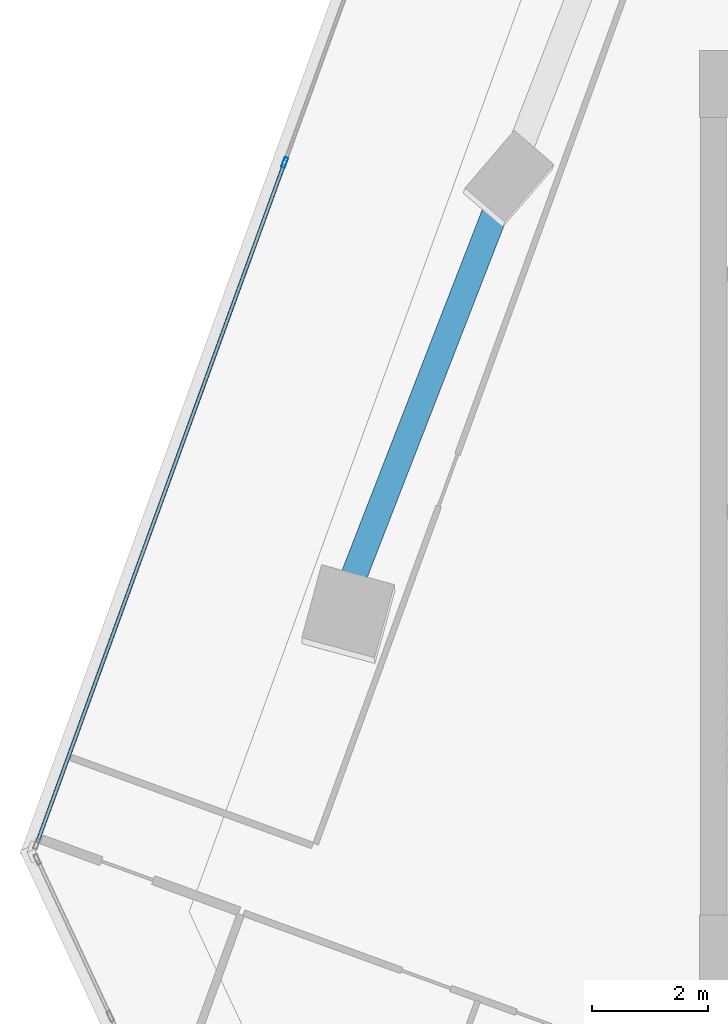
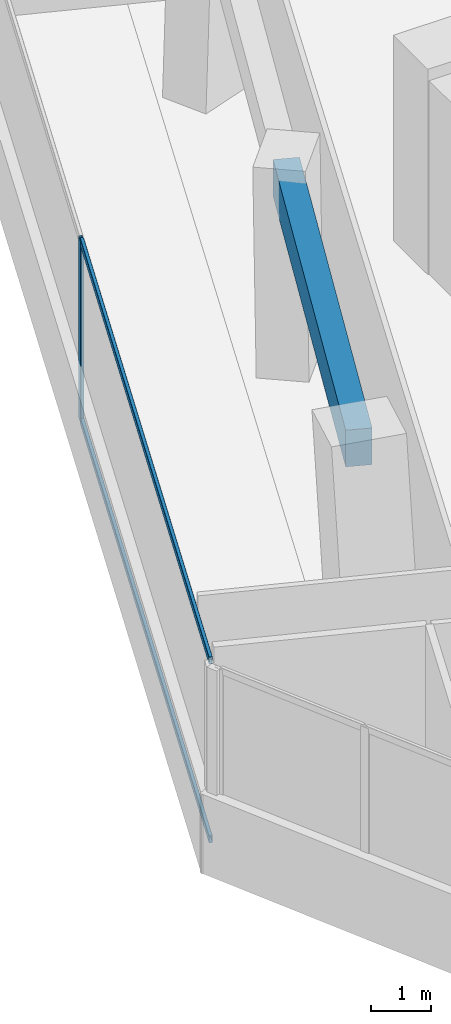
# One storey, part 6 of 21: 3 members, 1 beam, 1 element without a shape of its own.
"""IFC4 building model written with IfcOpenShell, lengths in metres."""

from ifc_helpers import new_model, si_unit, direction, frame, origin, origin_2d, place, context, subcontext, project, spatial, rectangle, hollow_rectangle, extrude, source, transform, mapped, material, material_profile, profile_set, type_object, element, aggregate, save


model = new_model("IFC4")

# Units and contexts
model_context = context("Model", 3, precision=1e-05, world=origin(), true_north=direction((0.0, 1.0)))
body_context = subcontext(model_context, "Body", "Model", "MODEL_VIEW")
ifc_project = project(units=[si_unit("LENGTHUNIT", "METRE"), si_unit("AREAUNIT", "SQUARE_METRE"), si_unit("VOLUMEUNIT", "CUBIC_METRE"), si_unit("PLANEANGLEUNIT", "RADIAN"), si_unit("MASSUNIT", "GRAM", prefix="KILO")], contexts=[model_context])

# Site, building, storey
site_placement = place(None, origin())
site = spatial("IfcSite", under=ifc_project, at=site_placement, CompositionType="ELEMENT")
building_placement = place(site_placement, origin())
building = spatial("IfcBuilding", under=site, at=building_placement, Name="Torre Montelarca", CompositionType="ELEMENT")
storey_placement = place(building_placement, frame((0.0, 0.0, 133.0)))
storey = spatial("IfcBuildingStorey", under=building, at=storey_placement, Name="L29", CompositionType="ELEMENT", Elevation=133.0)

# Beam
ifc_material_1 = material(Name="Concrete C55/67", Category="concrete")
ifc_material_profile_1 = material_profile(ifc_material_1, rectangle(XDim=0.449951171875, YDim=0.75, at=origin_2d()), Name="RCB450X750", Category="concrete")
ifc_profile_set_1 = profile_set([ifc_material_profile_1], Name="Concrete C55/67")
beam_type = type_object("IfcBeamType", Name="BM-SP-RC750-EXT", PredefinedType="SPANDREL", material=ifc_profile_set_1)
shared_shape_1 = source(origin(), body_context, "Body", "SweptSolid", [
    extrude(rectangle(XDim=0.449951171875, YDim=0.75, at=origin_2d()), origin(), (0.0, 0.0, 1.0), 8.000244140625),
])
beam_placement = place(storey_placement, frame((2.896240234375, 30.65087890625, 3.5849609375), z_axis=(0.362418280381, 0.93201555247, 0.0), x_axis=(-0.93201555247, 0.362418280381, 0.0)))
element("IfcBeam", 1, at=beam_placement, inside=storey, type_object=beam_type, Name="L29 Grid Girder Y 24.0-32.0 at X=4.7", PredefinedType="SPANDREL", context=body_context, shape_type="MappedRepresentation", body=[
    mapped(shared_shape_1, transform((0.0, 0.0, 0.0), scale=1.0)),
])

# Curtain wall, members
ifc_material_2 = material(Name="Insulated low-E laminated glass", Category="glass")
curtain_wall_type = type_object("IfcCurtainWallType", Name="CW-SYS-Z2", PredefinedType="USERDEFINED", material=ifc_material_2)
curtain_wall_placement = place(storey_placement, origin())
curtain_wall = element("IfcCurtainWall", 2, at=curtain_wall_placement, inside=storey, type_object=curtain_wall_type, Name="L29 Curtain Wall Run CW-T3-L29-E10-B1", ObjectType="UNITISED GLAZING", PredefinedType="USERDEFINED")
ifc_material_3 = material(Name="Anodised aluminium AA 6063-T6", Category="aluminium")
ifc_material_profile_2 = material_profile(ifc_material_3, hollow_rectangle(XDim=0.06494140625, YDim=0.139892578125, WallThickness=0.00390625, InnerFilletRadius=0.00390625, OuterFilletRadius=0.008056640625, at=origin_2d()), Name="ALU65X140X4", Category="aluminium")
ifc_profile_set_2 = profile_set([ifc_material_profile_2], Name="Anodised aluminium AA 6063-T6")
member_type_1 = type_object("IfcMemberType", Name="CWT-ALU140", PredefinedType="USERDEFINED", material=ifc_profile_set_2)
shared_shape_2 = source(origin(), body_context, "Body", "SweptSolid", [
    extrude(hollow_rectangle(XDim=0.06494140625, YDim=0.139892578125, WallThickness=0.00390625, InnerFilletRadius=0.00390625, OuterFilletRadius=0.008056640625, at=origin_2d()), origin(), (0.0, 0.0, 1.0), 12.4365234375),
])
member_1_placement = place(storey_placement, frame((1.8173828125, 38.06494140625, 0.032470703125), z_axis=(-0.342028339507, -0.939689637579, 0.0), x_axis=(0.939689637579, -0.342028339507, 0.0)))
member_1 = element("IfcMember", 3, at=member_1_placement, type_object=member_type_1, Name="CW transom 2.1", ObjectType="TRANSOM", PredefinedType="USERDEFINED", context=body_context, shape_type="MappedRepresentation", body=[
    mapped(shared_shape_2, transform((0.0, 0.0, 0.0), scale=1.0)),
])
member_2_placement = place(storey_placement, frame((1.8173828125, 38.06494140625, 3.6875), z_axis=(-0.342028339507, -0.939689637579, 0.0), x_axis=(0.939689637579, -0.342028339507, 0.0)))
member_2 = element("IfcMember", 4, at=member_2_placement, type_object=member_type_1, Name="CW transom 2.2", ObjectType="TRANSOM", PredefinedType="USERDEFINED", context=body_context, shape_type="MappedRepresentation", body=[
    mapped(shared_shape_2, transform((0.0, 0.0, 0.0), scale=1.0)),
])
ifc_material_profile_3 = material_profile(ifc_material_3, hollow_rectangle(XDim=0.06494140625, YDim=0.179931640625, WallThickness=0.00390625, InnerFilletRadius=0.00390625, OuterFilletRadius=0.008056640625, at=origin_2d()), Name="ALU65X180X4", Category="aluminium")
ifc_profile_set_3 = profile_set([ifc_material_profile_3], Name="Anodised aluminium AA 6063-T6")
member_type_2 = type_object("IfcMemberType", Name="CWM-ALU180", PredefinedType="MULLION", material=ifc_profile_set_3)
shared_shape_3 = source(origin(), body_context, "Body", "SweptSolid", [
    extrude(hollow_rectangle(XDim=0.06494140625, YDim=0.179931640625, WallThickness=0.00390625, InnerFilletRadius=0.00390625, OuterFilletRadius=0.008056640625, at=origin_2d()), origin(), (0.0, 0.0, 1.0), 3.719970703125),
])
member_3_placement = place(storey_placement, frame((1.82861328125, 38.095703125, 0.0), z_axis=(0.0, 0.0, 1.0), x_axis=(0.939692985234, -0.342019142012, 0.0)))
member_3 = element("IfcMember", 5, at=member_3_placement, type_object=member_type_2, Name="CW mullion 2", PredefinedType="MULLION", context=body_context, shape_type="MappedRepresentation", body=[
    mapped(shared_shape_3, transform((0.0, 0.0, 0.0), scale=1.0)),
])
aggregate(curtain_wall, [member_3, member_1, member_2])

save(model, "model.ifc")
